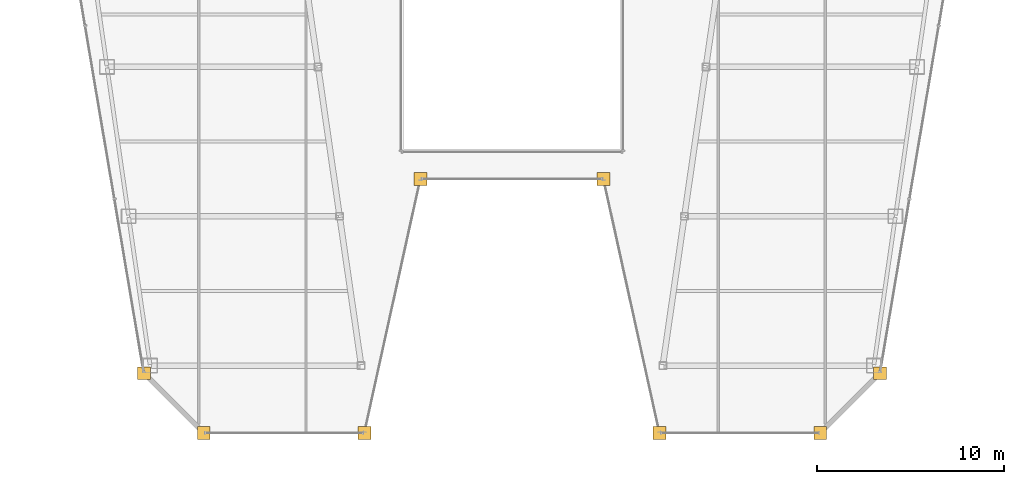
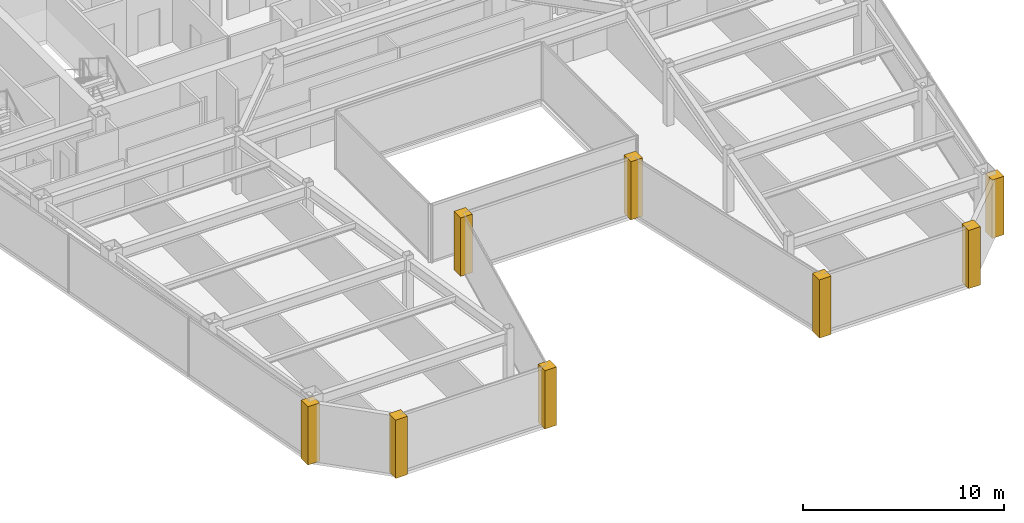
# One storey, part 34 of 36: 8 coverings.
"""IFC4 building model written with IfcOpenShell, lengths in metres."""

from ifc_helpers import new_model, si_unit, direction, frame, origin, place, context, subcontext, project, spatial, polyline, outline, extrude, material, layer, layer_set, type_object, element, save


model = new_model("IFC4")

# Units and contexts
model_context = context("Model", 3, precision=1e-05, world=origin(), true_north=direction((0.0, 1.0)))
body_context = subcontext(model_context, "Body", "Model", "MODEL_VIEW")
ifc_project = project(units=[si_unit("LENGTHUNIT", "METRE"), si_unit("AREAUNIT", "SQUARE_METRE"), si_unit("VOLUMEUNIT", "CUBIC_METRE"), si_unit("PLANEANGLEUNIT", "RADIAN"), si_unit("MASSUNIT", "GRAM", prefix="KILO")], contexts=[model_context])

# Site, building, storey
site_placement = place(None, origin())
site = spatial("IfcSite", under=ifc_project, at=site_placement, CompositionType="ELEMENT")
building_placement = place(site_placement, origin())
building = spatial("IfcBuilding", under=site, at=building_placement, Name="Saevonmaru Cultural Tower", CompositionType="ELEMENT")
storey_placement = place(building_placement, frame((0.0, 0.0, 182.800048828125)))
storey = spatial("IfcBuildingStorey", under=building, at=storey_placement, Name="L41", CompositionType="ELEMENT", Elevation=182.800048828125)

# Coverings
ifc_material = material(Name="Satin Bronze Anodised Aluminium", Category="aluminium")
ifc_layer = layer(ifc_material, 0.679931640625, Name="Satin Bronze Anodised Aluminium")
ifc_layer_set = layer_set([ifc_layer], Name="Satin Bronze Anodised Aluminium")
covering_type = type_object("IfcCoveringType", Name="CV-CORNER-CLAD", PredefinedType="CLADDING", material=ifc_layer_set)
covering_1_placement = place(storey_placement, origin())
element("IfcCovering", 1, at=covering_1_placement, inside=storey, type_object=covering_type, Name="L41 Tower Bronze Corner Cladding Pier 1", PredefinedType="CLADDING", context=body_context, shape_type="SweptSolid", body=[
    extrude(outline(polyline([(9.9580078125, 15.260009765625), (10.637939453125, 15.260009765625), (10.637939453125, 15.93994140625), (9.9580078125, 15.93994140625), (9.9580078125, 15.260009765625)])), origin(), (0.0, 0.0, 1.0), 3.550048828125),
])
covering_2_placement = place(storey_placement, origin())
element("IfcCovering", 2, at=covering_2_placement, inside=storey, type_object=covering_type, Name="L41 Tower Bronze Corner Cladding Pier 2", PredefinedType="CLADDING", context=body_context, shape_type="SweptSolid", body=[
    extrude(outline(polyline([(13.157958984375, 12.06005859375), (13.837890625, 12.06005859375), (13.837890625, 12.739990234375), (13.157958984375, 12.739990234375), (13.157958984375, 12.06005859375)])), origin(), (0.0, 0.0, 1.0), 3.550048828125),
])
covering_3_placement = place(storey_placement, origin())
element("IfcCovering", 3, at=covering_3_placement, inside=storey, type_object=covering_type, Name="L41 Tower Bronze Corner Cladding Pier 3", PredefinedType="CLADDING", context=body_context, shape_type="SweptSolid", body=[
    extrude(outline(polyline([(21.758056640625, 12.06005859375), (22.43798828125, 12.06005859375), (22.43798828125, 12.739990234375), (21.758056640625, 12.739990234375), (21.758056640625, 12.06005859375)])), origin(), (0.0, 0.0, 1.0), 3.550048828125),
])
covering_4_placement = place(storey_placement, origin())
element("IfcCovering", 4, at=covering_4_placement, inside=storey, type_object=covering_type, Name="L41 Tower Bronze Corner Cladding Pier 4", PredefinedType="CLADDING", context=body_context, shape_type="SweptSolid", body=[
    extrude(outline(polyline([(24.758056640625, 25.659912109375), (25.43798828125, 25.659912109375), (25.43798828125, 26.340087890625), (24.758056640625, 26.340087890625), (24.758056640625, 25.659912109375)])), origin(), (0.0, 0.0, 1.0), 3.550048828125),
])
covering_5_placement = place(storey_placement, origin())
element("IfcCovering", 5, at=covering_5_placement, inside=storey, type_object=covering_type, Name="L41 Tower Bronze Corner Cladding Pier 5", PredefinedType="CLADDING", context=body_context, shape_type="SweptSolid", body=[
    extrude(outline(polyline([(34.56201171875, 25.659912109375), (35.241943359375, 25.659912109375), (35.241943359375, 26.340087890625), (34.56201171875, 26.340087890625), (34.56201171875, 25.659912109375)])), origin(), (0.0, 0.0, 1.0), 3.550048828125),
])
covering_6_placement = place(storey_placement, origin())
element("IfcCovering", 6, at=covering_6_placement, inside=storey, type_object=covering_type, Name="L41 Tower Bronze Corner Cladding Pier 6", PredefinedType="CLADDING", context=body_context, shape_type="SweptSolid", body=[
    extrude(outline(polyline([(37.56201171875, 12.06005859375), (38.241943359375, 12.06005859375), (38.241943359375, 12.739990234375), (37.56201171875, 12.739990234375), (37.56201171875, 12.06005859375)])), origin(), (0.0, 0.0, 1.0), 3.550048828125),
])
covering_7_placement = place(storey_placement, origin())
element("IfcCovering", 7, at=covering_7_placement, inside=storey, type_object=covering_type, Name="L41 Tower Bronze Corner Cladding Pier 7", PredefinedType="CLADDING", context=body_context, shape_type="SweptSolid", body=[
    extrude(outline(polyline([(46.162109375, 12.06005859375), (46.842041015625, 12.06005859375), (46.842041015625, 12.739990234375), (46.162109375, 12.739990234375), (46.162109375, 12.06005859375)])), origin(), (0.0, 0.0, 1.0), 3.550048828125),
])
covering_8_placement = place(storey_placement, origin())
element("IfcCovering", 8, at=covering_8_placement, inside=storey, type_object=covering_type, Name="L41 Tower Bronze Corner Cladding Pier 8", PredefinedType="CLADDING", context=body_context, shape_type="SweptSolid", body=[
    extrude(outline(polyline([(49.362060546875, 15.260009765625), (50.0419921875, 15.260009765625), (50.0419921875, 15.93994140625), (49.362060546875, 15.93994140625), (49.362060546875, 15.260009765625)])), origin(), (0.0, 0.0, 1.0), 3.550048828125),
])

save(model, "model.ifc")
